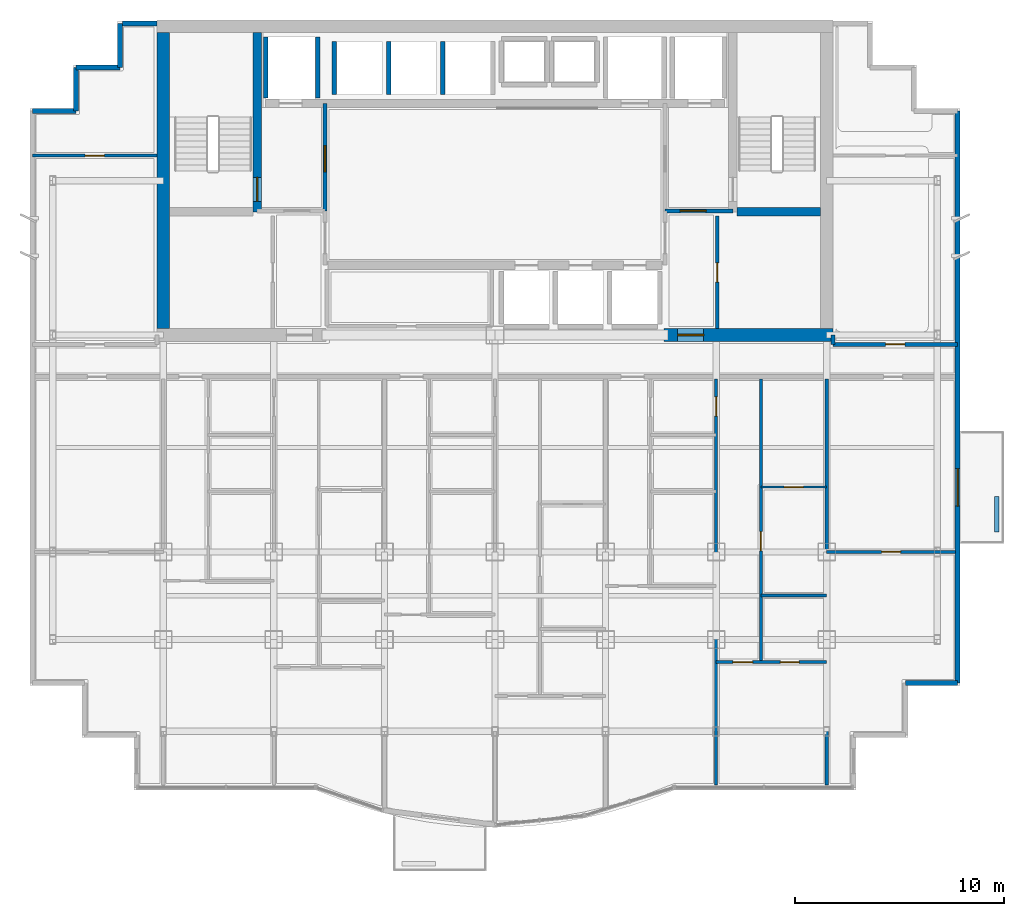
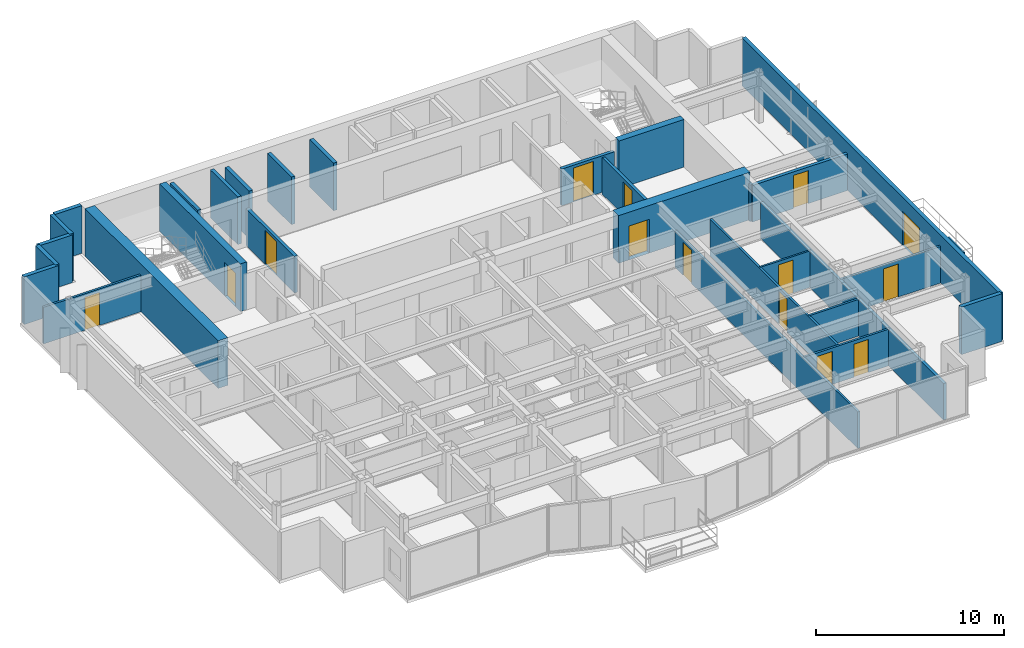
# One storey, part 8 of 11: 30 walls, 14 doors, 14 openings.
"""IFC4 building model written with IfcOpenShell, lengths in metres."""

import ifcopenshell
import ifcopenshell.guid

model = None  # the IFC model being written
_history = None  # IfcOwnerHistory: only IFC2X3 demands one
_inside = {}  # id of a spatial element -> (the spatial element, [elements in it])
_under = {}  # id of a project, library or spatial element -> (it, [spatial elements below it])
_declared = {}  # id of a project -> (the project, [libraries it declares])
_typed = {}  # id of a type object -> (the type object, [elements of that type])
_made_of = {}  # id of a material, layer set ... -> (it, [elements and type objects made of it])


def new_model(schema):
    """Start an empty IFC model of exactly this schema.

    Asked for "IFC4X3", IfcOpenShell would pick the latest addendum, in which some entities
    have other attributes; the version numbers below select the first issue.
    IFC2X3 requires an IfcOwnerHistory on every rooted entity: one is made here for all.
    """
    global model, _history
    if schema == "IFC4X3":
        model = ifcopenshell.file(schema_version=(4, 3, 0, 0))
    else:
        model = ifcopenshell.file(schema=schema)
    _inside.clear()
    _under.clear()
    _declared.clear()
    _typed.clear()
    _made_of.clear()
    _history = None
    if model.schema == "IFC2X3":
        org = make("IfcOrganization", Name="unknown")
        user = make(
            "IfcPersonAndOrganization",
            ThePerson=make("IfcPerson", FamilyName="unknown"),
            TheOrganization=org,
        )
        app = make(
            "IfcApplication",
            ApplicationDeveloper=org,
            Version="unknown",
            ApplicationFullName="unknown",
            ApplicationIdentifier="unknown",
        )
        _history = make(
            "IfcOwnerHistory",
            OwningUser=user,
            OwningApplication=app,
            ChangeAction="ADDED",
            CreationDate=0,
        )
    return model


def make(cls, **values):
    """One entity of the class cls with the attributes given. An attribute that is None is left unset."""
    return model.create_entity(
        cls, **{name: value for name, value in values.items() if value is not None}
    )


def rooted(cls, **values):
    """An entity with a GlobalId (a new one), such as an element, a storey or a relation."""
    return make(cls, GlobalId=ifcopenshell.guid.new(), OwnerHistory=_history, **values)


def si_unit(unit_type, name, prefix=None):
    """IfcSIUnit, for example si_unit("LENGTHUNIT", "METRE", prefix="MILLI")."""
    return make("IfcSIUnit", UnitType=unit_type, Prefix=prefix, Name=name)


def assignment(units):
    """IfcUnitAssignment: the units of a project."""
    return None if units is None else make("IfcUnitAssignment", Units=units)


def point(xyz):
    """IfcCartesianPoint."""
    return None if xyz is None else make("IfcCartesianPoint", Coordinates=xyz)


def direction(xyz):
    """IfcDirection."""
    return None if xyz is None else make("IfcDirection", DirectionRatios=xyz)


def frame(location, z_axis=None, x_axis=None):
    """IfcAxis2Placement3D, a coordinate frame: its origin and axes. An axis left out is left unset."""
    return make(
        "IfcAxis2Placement3D",
        Location=point(location),
        Axis=direction(z_axis),
        RefDirection=direction(x_axis),
    )


def frame_2d(location, x_axis=None):
    """IfcAxis2Placement2D, a coordinate frame in the plane: its origin and x axis."""
    return make(
        "IfcAxis2Placement2D", Location=point(location), RefDirection=direction(x_axis)
    )


def origin():
    """The frame at (0, 0, 0) with its axes left unset."""
    return frame((0.0, 0.0, 0.0))


def place(relative_to, where):
    """IfcLocalPlacement: puts the frame where relative to a parent placement (None: the world)."""
    return make(
        "IfcLocalPlacement", PlacementRelTo=relative_to, RelativePlacement=where
    )


def context(
    kind, dimensions, precision=None, world=None, true_north=None, identifier=None
):
    """IfcGeometricRepresentationContext, for example the 3D "Model" context."""
    return make(
        "IfcGeometricRepresentationContext",
        ContextIdentifier=identifier,
        ContextType=kind,
        CoordinateSpaceDimension=dimensions,
        Precision=precision,
        WorldCoordinateSystem=world,
        TrueNorth=true_north,
    )


def subcontext(parent, identifier, kind, view, scale=None):
    """IfcGeometricRepresentationSubContext, for example "Body" below "Model"."""
    return make(
        "IfcGeometricRepresentationSubContext",
        ContextIdentifier=identifier,
        ContextType=kind,
        ParentContext=parent,
        TargetScale=scale,
        TargetView=view,
    )


def project(units=None, contexts=None):
    """IfcProject with its units and contexts."""
    return rooted(
        "IfcProject",
        Name="project",
        RepresentationContexts=contexts,
        UnitsInContext=assignment(units),
    )


def spatial(cls, under=None, at=None, **own):
    """A site, building, storey or space (cls), placed at a placement, below another one or the project."""
    s = rooted(cls, ObjectPlacement=at, **own)
    if under is not None:
        _under.setdefault(under.id(), (under, []))[1].append(s)
    return s


def profile(cls, at=None, kind="AREA", **sizes):
    """A parametric profile (cls). Its sizes go by their IFC names, for example OverallWidth=200.0."""
    return make(cls, ProfileType=kind, Position=at, **sizes)


def rectangle(**sizes):
    """IfcRectangleProfileDef."""
    return profile("IfcRectangleProfileDef", **sizes)


def extrude(swept, where, along, depth):
    """IfcExtrudedAreaSolid: the profile swept, set in the frame where, extruded along a direction by depth."""
    return make(
        "IfcExtrudedAreaSolid",
        SweptArea=swept,
        Position=where,
        ExtrudedDirection=direction(along),
        Depth=depth,
    )


def shape(context_of_items, identifier, shape_type, items):
    """IfcShapeRepresentation: the items that make up one representation, for example the "Body"."""
    return make(
        "IfcShapeRepresentation",
        ContextOfItems=context_of_items,
        RepresentationIdentifier=identifier,
        RepresentationType=shape_type,
        Items=items,
    )


def material(Name=None, Category=None):
    """IfcMaterial."""
    return make("IfcMaterial", Name=Name, Category=Category)


def layer(
    of_material, thickness, ventilated=None, Name=None, Category=None, Priority=None
):
    """IfcMaterialLayer: one layer of a wall or slab, of a material (None: an air gap)."""
    return make(
        "IfcMaterialLayer",
        Material=of_material,
        LayerThickness=thickness,
        IsVentilated=ventilated,
        Name=Name,
        Category=Category,
        Priority=Priority,
    )


def layer_set(layers, Name=None):
    """IfcMaterialLayerSet."""
    return make("IfcMaterialLayerSet", MaterialLayers=layers, LayerSetName=Name)


def made_of(thing, what):
    """Note that an element or type object is made of a material, layer set ...; save() writes the relation."""
    if what is not None:
        _made_of.setdefault(what.id(), (what, []))[1].append(thing)
    return thing


def type_object(cls, material=None, **own):
    """A type object (cls), such as IfcWallType, which elements share."""
    return made_of(rooted(cls, **own), material)


def element(
    cls,
    number,
    at=None,
    inside=None,
    cuts=None,
    type_object=None,
    material=None,
    context=None,
    identifier="Body",
    shape_type=None,
    held_by="IfcProductDefinitionShape",
    body=None,
    shapes=None,
    **own,
):
    """One element of the class cls, such as IfcWall. Its Tag is "e" and its number.

    at: its placement. inside: the storey or other place that contains it. cuts: it is an
    opening in that element (IfcRelVoidsElement). A single representation is given by context,
    identifier, shape_type and body (its items); several are given by shapes. held_by: the class
    of the entity that holds the representations. save() writes the other relations.
    """
    e = rooted(cls, Tag="e%d" % number, ObjectPlacement=at, **own)
    if body is not None:
        shapes = [shape(context, identifier, shape_type, body)]
    if shapes is not None:
        e.Representation = make(held_by, Representations=shapes)
    if inside is not None:
        _inside.setdefault(inside.id(), (inside, []))[1].append(e)
    if cuts is not None:
        rooted(
            "IfcRelVoidsElement", RelatingBuildingElement=cuts, RelatedOpeningElement=e
        )
    if type_object is not None:
        _typed.setdefault(type_object.id(), (type_object, []))[1].append(e)
    return made_of(e, material)


def fill(opening, filler):
    """IfcRelFillsElement: the door or window that sits in an opening."""
    return rooted(
        "IfcRelFillsElement",
        RelatingOpeningElement=opening,
        RelatedBuildingElement=filler,
    )


def aggregate(whole, parts):
    """IfcRelAggregates: a whole, such as a stair, and the parts it consists of."""
    return rooted("IfcRelAggregates", RelatingObject=whole, RelatedObjects=parts)


def save(model, path):
    """Write the relations noted so far, then the file.

    IfcRelAggregates (storeys below a building ...), IfcRelContainedInSpatialStructure (elements
    in a storey), IfcRelDefinesByType, IfcRelAssociatesMaterial and IfcRelDeclares: one each for
    every whole, place, type object, material and project.
    """
    for whole, parts in _under.values():
        aggregate(whole, parts)
    for where, things in _inside.values():
        rooted(
            "IfcRelContainedInSpatialStructure",
            RelatedElements=things,
            RelatingStructure=where,
        )
    for kind, things in _typed.values():
        rooted("IfcRelDefinesByType", RelatedObjects=things, RelatingType=kind)
    for what, things in _made_of.values():
        rooted("IfcRelAssociatesMaterial", RelatedObjects=things, RelatingMaterial=what)
    for by, libraries in _declared.values():
        rooted("IfcRelDeclares", RelatingContext=by, RelatedDefinitions=libraries)
    model.write(path)


model = new_model("IFC4")

# Units and contexts
model_context = context("Model", 3, precision=1e-05, world=origin(), true_north=direction((0.0, 1.0)))
body_context = subcontext(model_context, "Body", "Model", "MODEL_VIEW")
ifc_project = project(units=[si_unit("LENGTHUNIT", "METRE"), si_unit("AREAUNIT", "SQUARE_METRE"), si_unit("VOLUMEUNIT", "CUBIC_METRE"), si_unit("PLANEANGLEUNIT", "RADIAN"), si_unit("MASSUNIT", "GRAM", prefix="KILO")], contexts=[model_context])

# Site, building, storey
site_placement = place(None, origin())
site = spatial("IfcSite", under=ifc_project, at=site_placement, CompositionType="ELEMENT")
building_placement = place(site_placement, origin())
building = spatial("IfcBuilding", under=site, at=building_placement, Name="Qianlan Lanfeng Residences", CompositionType="ELEMENT")
storey_placement = place(building_placement, frame((0.0, 0.0, 165.60009765625)))
storey = spatial("IfcBuildingStorey", under=building, at=storey_placement, Name="L45", CompositionType="ELEMENT", Elevation=165.60009765625)

# Wall, opening, door
ifc_material_1 = material(Name="Concrete C56", Category="concrete")
ifc_layer_1 = layer(ifc_material_1, 0.39990234375)
ifc_layer_set_1 = layer_set([ifc_layer_1], Name="Concrete C56")
wall_type_1 = type_object("IfcWallType", Name="CW-RC-400", PredefinedType="SHEAR", material=ifc_layer_set_1)
wall_1_placement = place(storey_placement, frame((15.10009765625, 31.10009765625, 0.0), z_axis=(0.0, 0.0, 1.0), x_axis=(0.0, 1.0, 0.0)))
wall_1 = element("IfcWall", 1, at=wall_1_placement, inside=storey, type_object=wall_type_1, Name="L45 Core Shear Wall ST1E", PredefinedType="SHEAR", context=body_context, shape_type="SweptSolid", body=[
    extrude(rectangle(XDim=8.599853515625, YDim=0.39990234375, at=frame_2d((4.2998046875, 0.0))), origin(), (0.0, 0.0, 1.0), 3.099853515625),
])
opening_1_placement = place(wall_1_placement, frame((0.510009765625, 0.0, 0.0)))
opening_1 = element("IfcOpeningElement", 2, at=opening_1_placement, cuts=wall_1, Name="Opening L45-D07", PredefinedType="OPENING", context=body_context, shape_type="SweptSolid", body=[
    extrude(rectangle(XDim=1.14990234375, YDim=2.199951171875, at=frame_2d((0.574951171875, 1.10009765625))), frame((0.0, 0.2099609375, 0.0), z_axis=(0.0, -1.0, 0.0), x_axis=(1.0, 0.0, 0.0)), (0.0, 0.0, 1.0), 0.419921875),
])
ifc_material_2 = material(Name="Painted Galvanised Steel Fire Door", Category="steel")
door_type_1 = type_object("IfcDoorType", Name="DT-ST1", OperationType="NOTDEFINED", PredefinedType="DOOR", material=ifc_material_2)
door_1_placement = place(opening_1_placement, frame((1.14990234375, 0.0, 0.0), z_axis=(0.0, 0.0, 1.0), x_axis=(-1.0, 0.0, 0.0)))
door_1 = element("IfcDoor", 3, at=door_1_placement, inside=storey, type_object=door_type_1, Name="L45 Exit Stair ST-1 Door L45-D07 (DT-ST1)", OperationType="SINGLE_SWING_RIGHT", OverallHeight=2.199951171875, OverallWidth=1.14990234375, PredefinedType="DOOR", context=body_context, shape_type="SweptSolid", body=[
    extrude(rectangle(XDim=1.14990234375, YDim=2.199951171875, at=frame_2d((0.574951171875, 1.10009765625))), frame((0.0, 0.02490234375, 0.0), z_axis=(0.0, -1.0, 0.0), x_axis=(1.0, 0.0, 0.0)), (0.0, 0.0, 1.0), 0.050048828125),
])
fill(opening_1, door_1)

# Walls
wall_2_placement = place(storey_placement, frame((38.10009765625, 31.10009765625, 0.0), z_axis=(0.0, 0.0, 1.0), x_axis=(1.0, 0.0, 0.0)))
element("IfcWall", 4, at=wall_2_placement, inside=storey, type_object=wall_type_1, Name="L45 Core Shear Wall ST2S", PredefinedType="SHEAR", context=body_context, shape_type="SweptSolid", body=[
    extrude(rectangle(XDim=4.0, YDim=0.39990234375, at=frame_2d((2.0, 0.0))), origin(), (0.0, 0.0, 1.0), 3.099853515625),
])
ifc_layer_2 = layer(ifc_material_1, 0.60009765625)
ifc_layer_set_2 = layer_set([ifc_layer_2], Name="Concrete C56")
wall_type_2 = type_object("IfcWallType", Name="CW-RC-600", PredefinedType="SHEAR", material=ifc_layer_set_2)
wall_3_placement = place(storey_placement, frame((10.60009765625, 25.5, 0.0), z_axis=(0.0, 0.0, 1.0), x_axis=(0.0, 1.0, 0.0)))
element("IfcWall", 5, at=wall_3_placement, inside=storey, type_object=wall_type_2, Name="L45 Core Shear Wall W", PredefinedType="SHEAR", context=body_context, shape_type="SweptSolid", body=[
    extrude(rectangle(XDim=14.199951171875, YDim=0.60009765625, at=frame_2d((7.10009765625, 0.0))), origin(), (0.0, 0.0, 1.0), 3.099853515625),
])

# Wall, opening, door
wall_4_placement = place(storey_placement, frame((34.60009765625, 25.199951171875, 0.0), z_axis=(0.0, 0.0, 1.0), x_axis=(1.0, 0.0, 0.0)))
wall_4 = element("IfcWall", 6, at=wall_4_placement, inside=storey, type_object=wall_type_2, Name="L45 Core Shear Wall SE", PredefinedType="SHEAR", context=body_context, shape_type="SweptSolid", body=[
    extrude(rectangle(XDim=8.099853515625, YDim=0.60009765625, at=frame_2d((4.0498046875, 0.0))), origin(), (0.0, 0.0, 1.0), 3.099853515625),
])
opening_2_placement = place(wall_4_placement, frame((0.64990234375, 0.0, 0.0)))
opening_2 = element("IfcOpeningElement", 7, at=opening_2_placement, cuts=wall_4, Name="Opening L45-D02", PredefinedType="OPENING", context=body_context, shape_type="SweptSolid", body=[
    extrude(rectangle(XDim=1.25, YDim=2.199951171875, at=frame_2d((0.625, 1.10009765625))), frame((0.0, 0.31005859375, 0.0), z_axis=(0.0, -1.0, 0.0), x_axis=(1.0, 0.0, 0.0)), (0.0, 0.0, 1.0), 0.6201171875),
])
door_type_2 = type_object("IfcDoorType", Name="DT-FFL", OperationType="NOTDEFINED", PredefinedType="DOOR", material=ifc_material_2)
door_2_placement = place(opening_2_placement, frame((1.25, 0.0, 0.0), z_axis=(0.0, 0.0, 1.0), x_axis=(-1.0, 0.0, 0.0)))
door_2 = element("IfcDoor", 8, at=door_2_placement, inside=storey, type_object=door_type_2, Name="L45 East Core Lobby Smoke Door L45-D02 (DT-FFL)", OperationType="SINGLE_SWING_LEFT", OverallHeight=2.199951171875, OverallWidth=1.25, PredefinedType="DOOR", context=body_context, shape_type="SweptSolid", body=[
    extrude(rectangle(XDim=1.25, YDim=2.199951171875, at=frame_2d((0.625, 1.10009765625))), frame((0.0, 0.02490234375, 0.0), z_axis=(0.0, -1.0, 0.0), x_axis=(1.0, 0.0, 0.0)), (0.0, 0.0, 1.0), 0.050048828125),
])
fill(opening_2, door_2)

# Wall
ifc_material_3 = material(Name="Concrete C42", Category="concrete")
ifc_layer_3 = layer(ifc_material_3, 0.239990234375)
ifc_layer_set_3 = layer_set([ifc_layer_3], Name="Concrete C42")
wall_type_3 = type_object("IfcWallType", Name="EW-240", PredefinedType="SOLIDWALL", material=ifc_layer_set_3)
wall_5_placement = place(storey_placement, frame((46.179931640625, 8.52001953125, 0.0), z_axis=(0.0, 0.0, 1.0), x_axis=(1.0, 0.0, 0.0)))
element("IfcWall", 9, at=wall_5_placement, inside=storey, type_object=wall_type_3, Name="L45 Exterior Facade Spandrel Wall 9", PredefinedType="SOLIDWALL", context=body_context, shape_type="SweptSolid", body=[
    extrude(rectangle(XDim=2.5, YDim=0.239990234375, at=frame_2d((1.25, 0.0))), origin(), (0.0, 0.0, 1.0), 3.099853515625),
])

# Wall, opening, door
wall_6_placement = place(storey_placement, frame((48.679931640625, 8.52001953125, 0.0), z_axis=(0.0, 0.0, 1.0), x_axis=(0.0, 1.0, 0.0)))
wall_6 = element("IfcWall", 10, at=wall_6_placement, inside=storey, type_object=wall_type_3, Name="L45 Terrace/Balcony Access Exterior Wall 10", PredefinedType="SOLIDWALL", context=body_context, shape_type="SweptSolid", body=[
    extrude(rectangle(XDim=27.409912109375, YDim=0.239990234375, at=frame_2d((13.705078125, 0.0))), origin(), (0.0, 0.0, 1.0), 3.099853515625),
])
opening_3_placement = place(wall_6_placement, frame((8.47998046875, 0.0, 0.0)))
opening_3 = element("IfcOpeningElement", 11, at=opening_3_placement, cuts=wall_6, Name="Opening L45-D-EB-S", PredefinedType="OPENING", context=body_context, shape_type="SweptSolid", body=[
    extrude(rectangle(XDim=1.800048828125, YDim=2.199951171875, at=frame_2d((0.89990234375, 1.10009765625))), frame((0.0, 0.1298828125, 0.0), z_axis=(0.0, -1.0, 0.0), x_axis=(1.0, 0.0, 0.0)), (0.0, 0.0, 1.0), 0.260009765625),
])
ifc_material_4 = material(Name="Anodised Bronze Aluminium Framed Glass", Category="aluminium")
door_type_3 = type_object("IfcDoorType", Name="DT-BAL1", OperationType="NOTDEFINED", PredefinedType="DOOR", material=ifc_material_4)
door_3_placement = place(opening_3_placement, frame((1.800048828125, 0.0, 0.0), z_axis=(0.0, 0.0, 1.0), x_axis=(-1.0, 0.0, 0.0)))
door_3 = element("IfcDoor", 12, at=door_3_placement, inside=storey, type_object=door_type_3, Name="L45 Exterior Access Door EB-S", OperationType="DOUBLE_DOOR_SLIDING", OverallHeight=2.199951171875, OverallWidth=1.800048828125, PredefinedType="DOOR", context=body_context, shape_type="SweptSolid", body=[
    extrude(rectangle(XDim=1.800048828125, YDim=2.199951171875, at=frame_2d((0.89990234375, 1.10009765625))), frame((0.0, 0.02490234375, 0.0), z_axis=(0.0, -1.0, 0.0), x_axis=(1.0, 0.0, 0.0)), (0.0, 0.0, 1.0), 0.050048828125),
])
fill(opening_3, door_3)

# Walls
wall_7_placement = place(storey_placement, frame((10.300048828125, 40.1298828125, 0.0), z_axis=(0.0, 0.0, 1.0), x_axis=(-1.0, 0.0, 0.0)))
element("IfcWall", 13, at=wall_7_placement, inside=storey, type_object=wall_type_3, Name="L45 North Wing Exterior Wall W", PredefinedType="SOLIDWALL", context=body_context, shape_type="SweptSolid", body=[
    extrude(rectangle(XDim=1.650146484375, YDim=0.239990234375, at=frame_2d((0.8251953125, 0.0))), origin(), (0.0, 0.0, 1.0), 3.099853515625),
])
wall_8_placement = place(storey_placement, frame((8.52001953125, 40.1298828125, 0.0), z_axis=(0.0, 0.0, 1.0), x_axis=(0.0, -1.0, 0.0)))
element("IfcWall", 14, at=wall_8_placement, inside=storey, type_object=wall_type_3, Name="L45 Exterior Facade Spandrel Wall 17", PredefinedType="SOLIDWALL", context=body_context, shape_type="SweptSolid", body=[
    extrude(rectangle(XDim=2.099853515625, YDim=0.239990234375, at=frame_2d((1.0498046875, 0.0))), origin(), (0.0, 0.0, 1.0), 3.099853515625),
])
for number, where, z_axis, x_axis, name in (
    (15, (8.52001953125, 38.030029296875, 0.0), (0.0, 0.0, 1.0), (-1.0, 0.0, 0.0), "L45 Exterior Facade Spandrel Wall 18"),
    (16, (6.419921875, 38.030029296875, 0.0), (0.0, 0.0, 1.0), (0.0, -1.0, 0.0), "L45 Exterior Facade Spandrel Wall 19"),
):
    element("IfcWall", number, at=place(storey_placement, frame(where, z_axis=z_axis, x_axis=x_axis)), inside=storey, type_object=wall_type_3, Name=name, PredefinedType="SOLIDWALL", context=body_context, shape_type="SweptSolid", body=[
        extrude(rectangle(XDim=2.10009765625, YDim=0.239990234375, at=frame_2d((1.050048828125, 0.0))), origin(), (0.0, 0.0, 1.0), 3.099853515625),
    ])
wall_9_placement = place(storey_placement, frame((6.419921875, 35.929931640625, 0.0), z_axis=(0.0, 0.0, 1.0), x_axis=(-1.0, 0.0, 0.0)))
element("IfcWall", 17, at=wall_9_placement, inside=storey, type_object=wall_type_3, Name="L45 Exterior Facade Spandrel Wall 20", PredefinedType="SOLIDWALL", context=body_context, shape_type="SweptSolid", body=[
    extrude(rectangle(XDim=2.099853515625, YDim=0.239990234375, at=frame_2d((1.0498046875, 0.0))), origin(), (0.0, 0.0, 1.0), 3.099853515625),
])
ifc_layer_4 = layer(ifc_material_3, 0.199951171875)
ifc_layer_set_4 = layer_set([ifc_layer_4], Name="Concrete C42")
wall_type_4 = type_object("IfcWallType", Name="PL-TREE-200", PredefinedType="PARAPET", material=ifc_layer_set_4)
wall_10_placement = place(storey_placement, frame((50.550048828125, 15.75, 0.0), z_axis=(0.0, 0.0, 1.0), x_axis=(0.0, 1.0, 0.0)))
element("IfcWall", 18, at=wall_10_placement, inside=storey, type_object=wall_type_4, Name="L45 East Tree Planter Curb EB-S", PredefinedType="PARAPET", context=body_context, shape_type="SweptSolid", body=[
    extrude(rectangle(XDim=1.699951171875, YDim=0.199951171875, at=frame_2d((0.85009765625, 0.0))), origin(), (0.0, 0.0, 1.0), 0.64990234375),
])

# Wall, opening, door
ifc_material_5 = material(Name="Demountable Acoustic Framing Partition 110 mm")
ifc_layer_5 = layer(ifc_material_5, 0.110107421875)
ifc_layer_set_5 = layer_set([ifc_layer_5], Name="Demountable Acoustic Framing Partition 110 mm")
wall_type_5 = type_object("IfcWallType", Name="PW-110", PredefinedType="MOVABLE", material=ifc_layer_set_5)
wall_11_placement = place(storey_placement, frame((39.25, 17.909912109375, 0.0), z_axis=(0.0, 0.0, 1.0), x_axis=(1.0, 0.0, 0.0)))
wall_11 = element("IfcWall", 19, at=wall_11_placement, inside=storey, type_object=wall_type_5, Name="L45 U03 Wardrobe Split", PredefinedType="MOVABLE", context=body_context, shape_type="SweptSolid", body=[
    extrude(rectangle(XDim=3.14990234375, YDim=0.110107421875, at=frame_2d((1.574951171875, 0.0))), origin(), (0.0, 0.0, 1.0), 2.3798828125),
])
opening_4_placement = place(wall_11_placement, frame((1.114990234375, 0.0, 0.0)))
opening_4 = element("IfcOpeningElement", 20, at=opening_4_placement, cuts=wall_11, Name="Opening L45-D43", PredefinedType="OPENING", context=body_context, shape_type="SweptSolid", body=[
    extrude(rectangle(XDim=0.919921875, YDim=2.14990234375, at=frame_2d((0.4599609375, 1.074951171875))), frame((0.0, 0.06494140625, 0.0), z_axis=(0.0, -1.0, 0.0), x_axis=(1.0, 0.0, 0.0)), (0.0, 0.0, 1.0), 0.130126953125),
])
ifc_material_6 = material(Name="Glazed Timber Kitchen/Study Door", Category="wood")
door_type_4 = type_object("IfcDoorType", Name="DT-INT", OperationType="NOTDEFINED", PredefinedType="DOOR", material=ifc_material_6)
door_4_placement = place(opening_4_placement, origin())
door_4 = element("IfcDoor", 21, at=door_4_placement, inside=storey, type_object=door_type_4, Name="L45 U03 Dressing Inner Door L45-D43 (DT-INT)", OperationType="SINGLE_SWING_RIGHT", OverallHeight=2.14990234375, OverallWidth=0.919921875, PredefinedType="DOOR", context=body_context, shape_type="SweptSolid", body=[
    extrude(rectangle(XDim=0.919921875, YDim=2.14990234375, at=frame_2d((0.4599609375, 1.074951171875))), frame((0.0, 0.02490234375, 0.0), z_axis=(0.0, -1.0, 0.0), x_axis=(1.0, 0.0, 0.0)), (0.0, 0.0, 1.0), 0.050048828125),
])
fill(opening_4, door_4)

ifc_material_7 = material(Name="Moisture-Resistant Gypsum Partition 135 mm")
ifc_layer_6 = layer(ifc_material_7, 0.135009765625)
ifc_layer_set_6 = layer_set([ifc_layer_6], Name="Moisture-Resistant Gypsum Partition 135 mm")
wall_type_6 = type_object("IfcWallType", Name="PW-135", PredefinedType="PARTITIONING", material=ifc_layer_set_6)
wall_12_placement = place(storey_placement, frame((37.10009765625, 3.6201171875, 0.0), z_axis=(0.0, 0.0, 1.0), x_axis=(0.0, 1.0, 0.0)))
wall_12 = element("IfcWall", 22, at=wall_12_placement, inside=storey, type_object=wall_type_6, Name="L45 U03 Bay Spine Wall 1", PredefinedType="PARTITIONING", context=body_context, shape_type="SweptSolid", body=[
    extrude(rectangle(XDim=19.47998046875, YDim=0.135009765625, at=frame_2d((9.739990234375, 0.0))), origin(), (0.0, 0.0, 1.0), 2.3798828125),
])
opening_5_placement = place(wall_12_placement, frame((17.695068359375, 0.0, 0.0)))
opening_5 = element("IfcOpeningElement", 23, at=opening_5_placement, cuts=wall_12, Name="Opening L45-D35", PredefinedType="OPENING", context=body_context, shape_type="SweptSolid", body=[
    extrude(rectangle(XDim=0.919921875, YDim=2.14990234375, at=frame_2d((0.4599609375, 1.074951171875))), frame((0.0, 0.07763671875, 0.0), z_axis=(0.0, -1.0, 0.0), x_axis=(1.0, 0.0, 0.0)), (0.0, 0.0, 1.0), 0.155029296875),
])
door_5_placement = place(opening_5_placement, origin())
door_5 = element("IfcDoor", 24, at=door_5_placement, inside=storey, type_object=door_type_4, Name="L45 U03 Internal Hall Door L45-D35 (DT-INT)", OperationType="SINGLE_SWING_RIGHT", OverallHeight=2.14990234375, OverallWidth=0.919921875, PredefinedType="DOOR", context=body_context, shape_type="SweptSolid", body=[
    extrude(rectangle(XDim=0.919921875, YDim=2.14990234375, at=frame_2d((0.4599609375, 1.074951171875))), frame((0.0, 0.02490234375, 0.0), z_axis=(0.0, -1.0, 0.0), x_axis=(1.0, 0.0, 0.0)), (0.0, 0.0, 1.0), 0.050048828125),
])
fill(opening_5, door_5)

# Wall, openings, doors
wall_13_placement = place(storey_placement, frame((37.10009765625, 9.52001953125, 0.0), z_axis=(0.0, 0.0, 1.0), x_axis=(1.0, 0.0, 0.0)))
wall_13 = element("IfcWall", 25, at=wall_13_placement, inside=storey, type_object=wall_type_6, Name="L45 U03 Master Bedroom North Wall", PredefinedType="PARTITIONING", context=body_context, shape_type="SweptSolid", body=[
    extrude(rectangle(XDim=5.2998046875, YDim=0.135009765625, at=frame_2d((2.64990234375, 0.0))), origin(), (0.0, 0.0, 1.0), 2.3798828125),
])
opening_6_placement = place(wall_13_placement, frame((0.800048828125, 0.0, 0.0)))
opening_6 = element("IfcOpeningElement", 26, at=opening_6_placement, cuts=wall_13, Name="Opening L45-D40", PredefinedType="OPENING", context=body_context, shape_type="SweptSolid", body=[
    extrude(rectangle(XDim=0.949951171875, YDim=2.14990234375, at=frame_2d((0.47509765625, 1.074951171875))), frame((0.0, 0.07763671875, 0.0), z_axis=(0.0, -1.0, 0.0), x_axis=(1.0, 0.0, 0.0)), (0.0, 0.0, 1.0), 0.155029296875),
])
opening_7_placement = place(wall_13_placement, frame((3.074951171875, 0.0, 0.0)))
opening_7 = element("IfcOpeningElement", 27, at=opening_7_placement, cuts=wall_13, Name="Opening L45-D41", PredefinedType="OPENING", context=body_context, shape_type="SweptSolid", body=[
    extrude(rectangle(XDim=0.89990234375, YDim=2.14990234375, at=frame_2d((0.449951171875, 1.074951171875))), frame((0.0, 0.07763671875, 0.0), z_axis=(0.0, -1.0, 0.0), x_axis=(1.0, 0.0, 0.0)), (0.0, 0.0, 1.0), 0.155029296875),
])
ifc_material_8 = material(Name="Painted Solid-Core Timber Leaf", Category="wood")
door_type_5 = type_object("IfcDoorType", Name="DT-BED", OperationType="NOTDEFINED", PredefinedType="DOOR", material=ifc_material_8)
door_6_placement = place(opening_6_placement, frame((0.949951171875, 0.0, 0.0), z_axis=(0.0, 0.0, 1.0), x_axis=(-1.0, 0.0, 0.0)))
door_6 = element("IfcDoor", 28, at=door_6_placement, inside=storey, type_object=door_type_5, Name="L45 U03 Master Bedroom Door L45-D40 (DT-BED)", OperationType="SINGLE_SWING_LEFT", OverallHeight=2.14990234375, OverallWidth=0.949951171875, PredefinedType="DOOR", context=body_context, shape_type="SweptSolid", body=[
    extrude(rectangle(XDim=0.949951171875, YDim=2.14990234375, at=frame_2d((0.47509765625, 1.074951171875))), frame((0.0, 0.02490234375, 0.0), z_axis=(0.0, -1.0, 0.0), x_axis=(1.0, 0.0, 0.0)), (0.0, 0.0, 1.0), 0.050048828125),
])
fill(opening_6, door_6)
ifc_material_9 = material(Name="Moisture-Resistant Timber Leaf", Category="wood")
door_type_6 = type_object("IfcDoorType", Name="DT-WC", OperationType="NOTDEFINED", PredefinedType="DOOR", material=ifc_material_9)
door_7_placement = place(opening_7_placement, origin())
door_7 = element("IfcDoor", 29, at=door_7_placement, inside=storey, type_object=door_type_6, Name="L45 U03 En-Suite Bathroom Door L45-D41 (DT-WC)", OperationType="SINGLE_SWING_RIGHT", OverallHeight=2.14990234375, OverallWidth=0.89990234375, PredefinedType="DOOR", context=body_context, shape_type="SweptSolid", body=[
    extrude(rectangle(XDim=0.89990234375, YDim=2.14990234375, at=frame_2d((0.449951171875, 1.074951171875))), frame((0.0, 0.02490234375, 0.0), z_axis=(0.0, -1.0, 0.0), x_axis=(1.0, 0.0, 0.0)), (0.0, 0.0, 1.0), 0.050048828125),
])
fill(opening_7, door_7)

# Wall, opening, door
wall_14_placement = place(storey_placement, frame((39.25, 9.52001953125, 0.0), z_axis=(0.0, 0.0, 1.0), x_axis=(0.0, 1.0, 0.0)))
wall_14 = element("IfcWall", 30, at=wall_14_placement, inside=storey, type_object=wall_type_6, Name="L45 U03 Master Passage Wall", PredefinedType="PARTITIONING", context=body_context, shape_type="SweptSolid", body=[
    extrude(rectangle(XDim=13.580078125, YDim=0.135009765625, at=frame_2d((6.7900390625, 0.0))), origin(), (0.0, 0.0, 1.0), 2.3798828125),
])
opening_8_placement = place(wall_14_placement, frame((5.3349609375, 0.0, 0.0)))
opening_8 = element("IfcOpeningElement", 31, at=opening_8_placement, cuts=wall_14, Name="Opening L45-D42", PredefinedType="OPENING", context=body_context, shape_type="SweptSolid", body=[
    extrude(rectangle(XDim=0.919921875, YDim=2.14990234375, at=frame_2d((0.4599609375, 1.074951171875))), frame((0.0, 0.07763671875, 0.0), z_axis=(0.0, -1.0, 0.0), x_axis=(1.0, 0.0, 0.0)), (0.0, 0.0, 1.0), 0.155029296875),
])
door_8_placement = place(opening_8_placement, origin())
door_8 = element("IfcDoor", 32, at=door_8_placement, inside=storey, type_object=door_type_4, Name="L45 U03 Wardrobe Door L45-D42 (DT-INT)", OperationType="SINGLE_SWING_LEFT", OverallHeight=2.14990234375, OverallWidth=0.919921875, PredefinedType="DOOR", context=body_context, shape_type="SweptSolid", body=[
    extrude(rectangle(XDim=0.919921875, YDim=2.14990234375, at=frame_2d((0.4599609375, 1.074951171875))), frame((0.0, 0.02490234375, 0.0), z_axis=(0.0, -1.0, 0.0), x_axis=(1.0, 0.0, 0.0)), (0.0, 0.0, 1.0), 0.050048828125),
])
fill(opening_8, door_8)

# Wall
wall_15_placement = place(storey_placement, frame((39.25, 12.719970703125, 0.0), z_axis=(0.0, 0.0, 1.0), x_axis=(1.0, 0.0, 0.0)))
element("IfcWall", 33, at=wall_15_placement, inside=storey, type_object=wall_type_6, Name="L45 U03 En-Suite North Wall", PredefinedType="PARTITIONING", context=body_context, shape_type="SweptSolid", body=[
    extrude(rectangle(XDim=3.14990234375, YDim=0.135009765625, at=frame_2d((1.574951171875, 0.0))), origin(), (0.0, 0.0, 1.0), 2.3798828125),
])

# Wall, opening, door
wall_16_placement = place(storey_placement, frame((42.39990234375, 14.800048828125, 0.0), z_axis=(0.0, 0.0, 1.0), x_axis=(1.0, 0.0, 0.0)))
wall_16 = element("IfcWall", 34, at=wall_16_placement, inside=storey, type_object=wall_type_6, Name="L45 SEP Mid Partition", PredefinedType="PARTITIONING", context=body_context, shape_type="SweptSolid", body=[
    extrude(rectangle(XDim=6.18017578125, YDim=0.135009765625, at=frame_2d((3.090087890625, 0.0))), origin(), (0.0, 0.0, 1.0), 2.3798828125),
])
opening_9_placement = place(wall_16_placement, frame((2.6298828125, 0.0, 0.0)))
opening_9 = element("IfcOpeningElement", 35, at=opening_9_placement, cuts=wall_16, Name="Opening L45-D46", PredefinedType="OPENING", context=body_context, shape_type="SweptSolid", body=[
    extrude(rectangle(XDim=0.919921875, YDim=2.14990234375, at=frame_2d((0.4599609375, 1.074951171875))), frame((0.0, 0.07763671875, 0.0), z_axis=(0.0, -1.0, 0.0), x_axis=(1.0, 0.0, 0.0)), (0.0, 0.0, 1.0), 0.155029296875),
])
door_9_placement = place(opening_9_placement, origin())
door_9 = element("IfcDoor", 36, at=door_9_placement, inside=storey, type_object=door_type_4, Name="L45 SEP Inner Door L45-D46 (DT-INT)", OperationType="SINGLE_SWING_LEFT", OverallHeight=2.14990234375, OverallWidth=0.919921875, PredefinedType="DOOR", context=body_context, shape_type="SweptSolid", body=[
    extrude(rectangle(XDim=0.919921875, YDim=2.14990234375, at=frame_2d((0.4599609375, 1.074951171875))), frame((0.0, 0.02490234375, 0.0), z_axis=(0.0, -1.0, 0.0), x_axis=(1.0, 0.0, 0.0)), (0.0, 0.0, 1.0), 0.050048828125),
])
fill(opening_9, door_9)

wall_17_placement = place(storey_placement, frame((4.320068359375, 33.800048828125, 0.0), z_axis=(0.0, 0.0, 1.0), x_axis=(1.0, 0.0, 0.0)))
wall_17 = element("IfcWall", 37, at=wall_17_placement, inside=storey, type_object=wall_type_6, Name="L45 WW North Wing Wall", PredefinedType="PARTITIONING", context=body_context, shape_type="SweptSolid", body=[
    extrude(rectangle(XDim=5.97998046875, YDim=0.135009765625, at=frame_2d((2.989990234375, 0.0))), origin(), (0.0, 0.0, 1.0), 2.3798828125),
])
opening_10_placement = place(wall_17_placement, frame((2.530029296875, 0.0, 0.0)))
opening_10 = element("IfcOpeningElement", 38, at=opening_10_placement, cuts=wall_17, Name="Opening L45-D48", PredefinedType="OPENING", context=body_context, shape_type="SweptSolid", body=[
    extrude(rectangle(XDim=0.919921875, YDim=2.14990234375, at=frame_2d((0.4599609375, 1.074951171875))), frame((0.0, 0.07763671875, 0.0), z_axis=(0.0, -1.0, 0.0), x_axis=(1.0, 0.0, 0.0)), (0.0, 0.0, 1.0), 0.155029296875),
])
door_10_placement = place(opening_10_placement, origin())
door_10 = element("IfcDoor", 39, at=door_10_placement, inside=storey, type_object=door_type_4, Name="L45 WW Inner Salon Door L45-D48 (DT-INT)", OperationType="SINGLE_SWING_LEFT", OverallHeight=2.14990234375, OverallWidth=0.919921875, PredefinedType="DOOR", context=body_context, shape_type="SweptSolid", body=[
    extrude(rectangle(XDim=0.919921875, YDim=2.14990234375, at=frame_2d((0.4599609375, 1.074951171875))), frame((0.0, 0.02490234375, 0.0), z_axis=(0.0, -1.0, 0.0), x_axis=(1.0, 0.0, 0.0)), (0.0, 0.0, 1.0), 0.050048828125),
])
fill(opening_10, door_10)

ifc_material_10 = material(Name="Double-Layer Acoustic Gypsum Stud Wall 180 mm")
ifc_layer_7 = layer(ifc_material_10, 0.179931640625)
ifc_layer_set_7 = layer_set([ifc_layer_7], Name="Double-Layer Acoustic Gypsum Stud Wall 180 mm")
wall_type_7 = type_object("IfcWallType", Name="PW-180", PredefinedType="PARTITIONING", material=ifc_layer_set_7)
wall_18_placement = place(storey_placement, frame((37.14990234375, 25.5, 0.0), z_axis=(0.0, 0.0, 1.0), x_axis=(0.0, 1.0, 0.0)))
wall_18 = element("IfcWall", 40, at=wall_18_placement, inside=storey, type_object=wall_type_7, Name="L45 Core East Service Room Wall", PredefinedType="PARTITIONING", context=body_context, shape_type="SweptSolid", body=[
    extrude(rectangle(XDim=5.39990234375, YDim=0.179931640625, at=frame_2d((2.699951171875, 0.0))), origin(), (0.0, 0.0, 1.0), 2.3798828125),
])
opening_11_placement = place(wall_18_placement, frame((2.239990234375, 0.0, 0.0)))
opening_11 = element("IfcOpeningElement", 41, at=opening_11_placement, cuts=wall_18, Name="Opening L45-D10", PredefinedType="OPENING", context=body_context, shape_type="SweptSolid", body=[
    extrude(rectangle(XDim=0.919921875, YDim=2.14990234375, at=frame_2d((0.4599609375, 1.074951171875))), frame((0.0, 0.10009765625, 0.0), z_axis=(0.0, -1.0, 0.0), x_axis=(1.0, 0.0, 0.0)), (0.0, 0.0, 1.0), 0.199951171875),
])
door_11_placement = place(opening_11_placement, origin())
door_11 = element("IfcDoor", 42, at=door_11_placement, inside=storey, type_object=door_type_4, Name="L45 Refuse Recycling Door L45-D10 (DT-INT)", OperationType="SINGLE_SWING_LEFT", OverallHeight=2.14990234375, OverallWidth=0.919921875, PredefinedType="DOOR", context=body_context, shape_type="SweptSolid", body=[
    extrude(rectangle(XDim=0.919921875, YDim=2.14990234375, at=frame_2d((0.4599609375, 1.074951171875))), frame((0.0, 0.02490234375, 0.0), z_axis=(0.0, -1.0, 0.0), x_axis=(1.0, 0.0, 0.0)), (0.0, 0.0, 1.0), 0.050048828125),
])
fill(opening_11, door_11)

# Wall
wall_19_placement = place(storey_placement, frame((42.39990234375, 3.6201171875, 0.0), z_axis=(0.0, 0.0, 1.0), x_axis=(0.0, 1.0, 0.0)))
element("IfcWall", 43, at=wall_19_placement, inside=storey, type_object=wall_type_7, Name="L45 Wing Boundary Party Wall E0", PredefinedType="PARTITIONING", context=body_context, shape_type="SweptSolid", body=[
    extrude(rectangle(XDim=19.47998046875, YDim=0.179931640625, at=frame_2d((9.739990234375, 0.0))), origin(), (0.0, 0.0, 1.0), 2.3798828125),
])

# Wall, opening, door
ifc_material_11 = material(Name="Autoclaved Aerated Concrete Blockwork 200 mm", Category="masonry")
ifc_layer_8 = layer(ifc_material_11, 0.199951171875)
ifc_layer_set_8 = layer_set([ifc_layer_8], Name="Autoclaved Aerated Concrete Blockwork 200 mm")
wall_type_8 = type_object("IfcWallType", Name="PW-200", PredefinedType="PARTITIONING", material=ifc_layer_set_8)
wall_20_placement = place(storey_placement, frame((18.35009765625, 31.14990234375, 0.0), z_axis=(0.0, 0.0, 1.0), x_axis=(0.0, 1.0, 0.0)))
wall_20 = element("IfcWall", 44, at=wall_20_placement, inside=storey, type_object=wall_type_8, Name="L45 Firefighting Lobby 1 East Wall", PredefinedType="PARTITIONING", context=body_context, shape_type="SweptSolid", body=[
    extrude(rectangle(XDim=5.150146484375, YDim=0.199951171875, at=frame_2d((2.5751953125, 0.0))), origin(), (0.0, 0.0, 1.0), 2.3798828125),
])
opening_12_placement = place(wall_20_placement, frame((1.875, 0.0, 0.0)))
opening_12 = element("IfcOpeningElement", 45, at=opening_12_placement, cuts=wall_20, Name="Opening L45-D04", PredefinedType="OPENING", context=body_context, shape_type="SweptSolid", body=[
    extrude(rectangle(XDim=1.25, YDim=2.199951171875, at=frame_2d((0.625, 1.10009765625))), frame((0.0, 0.10986328125, 0.0), z_axis=(0.0, -1.0, 0.0), x_axis=(1.0, 0.0, 0.0)), (0.0, 0.0, 1.0), 0.219970703125),
])
door_12_placement = place(opening_12_placement, origin())
door_12 = element("IfcDoor", 46, at=door_12_placement, inside=storey, type_object=door_type_2, Name="L45 Firefighting Lobby 1 Lift Lobby Door L45-D04 (DT-FFL)", OperationType="SINGLE_SWING_LEFT", OverallHeight=2.199951171875, OverallWidth=1.25, PredefinedType="DOOR", context=body_context, shape_type="SweptSolid", body=[
    extrude(rectangle(XDim=1.25, YDim=2.199951171875, at=frame_2d((0.625, 1.10009765625))), frame((0.0, 0.02490234375, 0.0), z_axis=(0.0, -1.0, 0.0), x_axis=(1.0, 0.0, 0.0)), (0.0, 0.0, 1.0), 0.050048828125),
])
fill(opening_12, door_12)

wall_21_placement = place(storey_placement, frame((34.64990234375, 31.14990234375, 0.0), z_axis=(0.0, 0.0, 1.0), x_axis=(1.0, 0.0, 0.0)))
wall_21 = element("IfcWall", 47, at=wall_21_placement, inside=storey, type_object=wall_type_8, Name="L45 Firefighting Lobby 2 South Wall", PredefinedType="PARTITIONING", context=body_context, shape_type="SweptSolid", body=[
    extrude(rectangle(XDim=3.25, YDim=0.199951171875, at=frame_2d((1.625, 0.0))), origin(), (0.0, 0.0, 1.0), 2.3798828125),
])
opening_13_placement = place(wall_21_placement, frame((0.72509765625, 0.0, 0.0)))
opening_13 = element("IfcOpeningElement", 48, at=opening_13_placement, cuts=wall_21, Name="Opening L45-D05", PredefinedType="OPENING", context=body_context, shape_type="SweptSolid", body=[
    extrude(rectangle(XDim=1.25, YDim=2.199951171875, at=frame_2d((0.625, 1.10009765625))), frame((0.0, 0.10986328125, 0.0), z_axis=(0.0, -1.0, 0.0), x_axis=(1.0, 0.0, 0.0)), (0.0, 0.0, 1.0), 0.219970703125),
])
door_13_placement = place(opening_13_placement, origin())
door_13 = element("IfcDoor", 49, at=door_13_placement, inside=storey, type_object=door_type_2, Name="L45 Firefighting Lobby 2 Entry Door L45-D05 (DT-FFL)", OperationType="SINGLE_SWING_RIGHT", OverallHeight=2.199951171875, OverallWidth=1.25, PredefinedType="DOOR", context=body_context, shape_type="SweptSolid", body=[
    extrude(rectangle(XDim=1.25, YDim=2.199951171875, at=frame_2d((0.625, 1.10009765625))), frame((0.0, 0.02490234375, 0.0), z_axis=(0.0, -1.0, 0.0), x_axis=(1.0, 0.0, 0.0)), (0.0, 0.0, 1.0), 0.050048828125),
])
fill(opening_13, door_13)

wall_22_placement = place(storey_placement, frame((42.699951171875, 24.75, 0.0), z_axis=(0.0, 0.0, 1.0), x_axis=(1.0, 0.0, 0.0)))
wall_22 = element("IfcWall", 50, at=wall_22_placement, inside=storey, type_object=wall_type_8, Name="L45 Corridor NE Wall", PredefinedType="PARTITIONING", context=body_context, shape_type="SweptSolid", body=[
    extrude(rectangle(XDim=5.97998046875, YDim=0.199951171875, at=frame_2d((2.989990234375, 0.0))), origin(), (0.0, 0.0, 1.0), 2.3798828125),
])
opening_14_placement = place(wall_22_placement, frame((2.530029296875, 0.0, 0.0)))
opening_14 = element("IfcOpeningElement", 51, at=opening_14_placement, cuts=wall_22, Name="Opening L45-D51", PredefinedType="OPENING", context=body_context, shape_type="SweptSolid", body=[
    extrude(rectangle(XDim=0.919921875, YDim=2.14990234375, at=frame_2d((0.4599609375, 1.074951171875))), frame((0.0, 0.10986328125, 0.0), z_axis=(0.0, -1.0, 0.0), x_axis=(1.0, 0.0, 0.0)), (0.0, 0.0, 1.0), 0.219970703125),
])
door_14_placement = place(opening_14_placement, origin())
door_14 = element("IfcDoor", 52, at=door_14_placement, inside=storey, type_object=door_type_4, Name="L45 EW Amenity Salon Door L45-D51 (DT-INT)", OperationType="SINGLE_SWING_RIGHT", OverallHeight=2.14990234375, OverallWidth=0.919921875, PredefinedType="DOOR", context=body_context, shape_type="SweptSolid", body=[
    extrude(rectangle(XDim=0.919921875, YDim=2.14990234375, at=frame_2d((0.4599609375, 1.074951171875))), frame((0.0, 0.02490234375, 0.0), z_axis=(0.0, -1.0, 0.0), x_axis=(1.0, 0.0, 0.0)), (0.0, 0.0, 1.0), 0.050048828125),
])
fill(opening_14, door_14)

# Walls
wall_23_placement = place(storey_placement, frame((42.699951171875, 24.75, 0.0), z_axis=(0.0, 0.0, 1.0), x_axis=(0.0, 1.0, 0.0)))
element("IfcWall", 53, at=wall_23_placement, inside=storey, type_object=wall_type_8, Name="L45 NE Wing Core Return Wall", PredefinedType="PARTITIONING", context=body_context, shape_type="SweptSolid", body=[
    extrude(rectangle(XDim=0.449951171875, YDim=0.199951171875, at=frame_2d((0.22509765625, 0.0))), origin(), (0.0, 0.0, 1.0), 2.3798828125),
])
ifc_material_12 = material(Name="Concrete C49", Category="concrete")
ifc_layer_9 = layer(ifc_material_12, 0.219970703125)
ifc_layer_set_9 = layer_set([ifc_layer_9], Name="Concrete C49")
wall_type_9 = type_object("IfcWallType", Name="SHW-220", PredefinedType="SOLIDWALL", material=ifc_layer_set_9)
for number, where, z_axis, x_axis, name in (
    (54, (15.52001953125, 36.550048828125, 0.0), (0.0, 0.0, 1.0), (0.0, 1.0, 0.0), "L45 Lift FFL-1 Shaft Wall W"),
    (55, (18.0, 36.550048828125, 0.0), (0.0, 0.0, 1.0), (0.0, 1.0, 0.0), "L45 Lift FFL-1 Shaft Wall E"),
):
    element("IfcWall", number, at=place(storey_placement, frame(where, z_axis=z_axis, x_axis=x_axis)), inside=storey, type_object=wall_type_9, Name=name, PredefinedType="SOLIDWALL", context=body_context, shape_type="SweptSolid", body=[
        extrude(rectangle(XDim=2.929931640625, YDim=0.219970703125, at=frame_2d((1.46484375, 0.0))), origin(), (0.0, 0.0, 1.0), 3.099853515625),
    ])
for number, where, z_axis, x_axis, name in (
    (56, (18.800048828125, 36.719970703125, 0.0), (0.0, 0.0, 1.0), (0.0, 1.0, 0.0), "L45 Lift PL-H1 Shaft Wall W"),
    (57, (21.39990234375, 36.719970703125, 0.0), (0.0, 0.0, 1.0), (0.0, 1.0, 0.0), "L45 Lift PL-H2 Shaft Wall W"),
    (58, (24.0, 36.719970703125, 0.0), (0.0, 0.0, 1.0), (0.0, 1.0, 0.0), "L45 Lift PL-H3 Shaft Wall W"),
):
    element("IfcWall", number, at=place(storey_placement, frame(where, z_axis=z_axis, x_axis=x_axis)), inside=storey, type_object=wall_type_9, Name=name, PredefinedType="SOLIDWALL", context=body_context, shape_type="SweptSolid", body=[
        extrude(rectangle(XDim=2.56005859375, YDim=0.219970703125, at=frame_2d((1.280029296875, 0.0))), origin(), (0.0, 0.0, 1.0), 3.099853515625),
    ])

save(model, "model.ifc")
